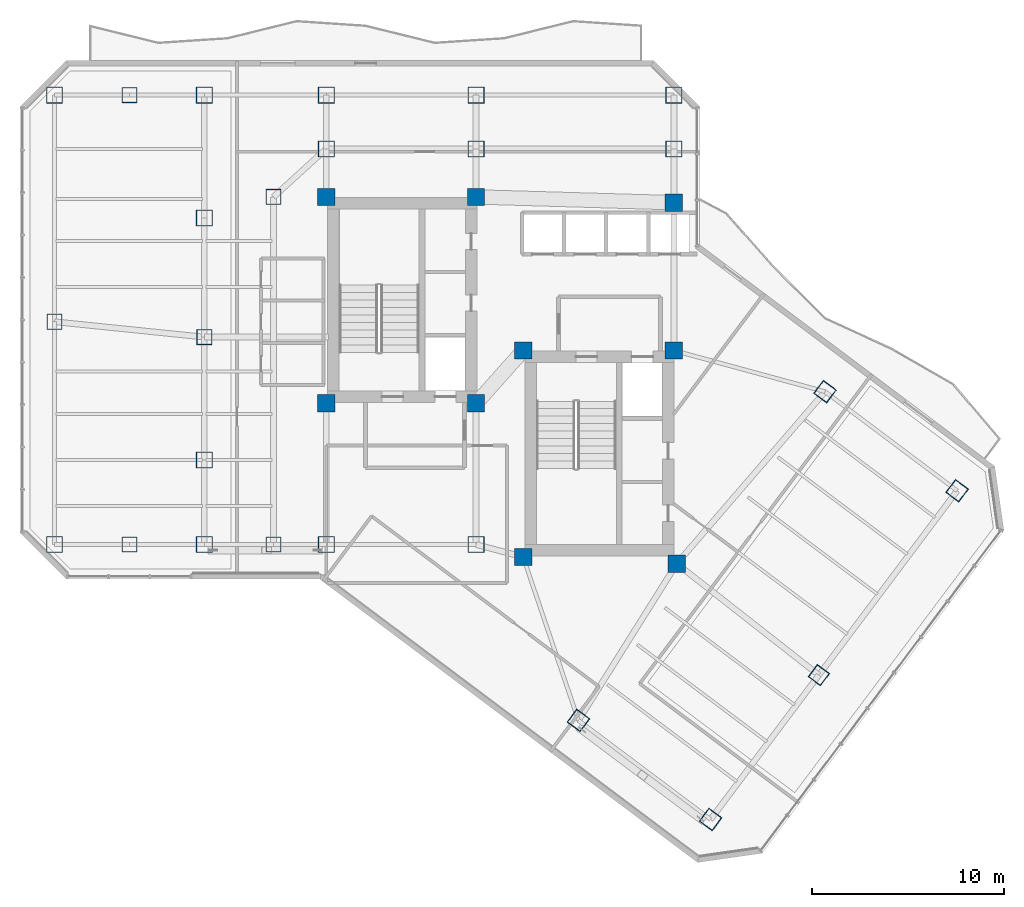
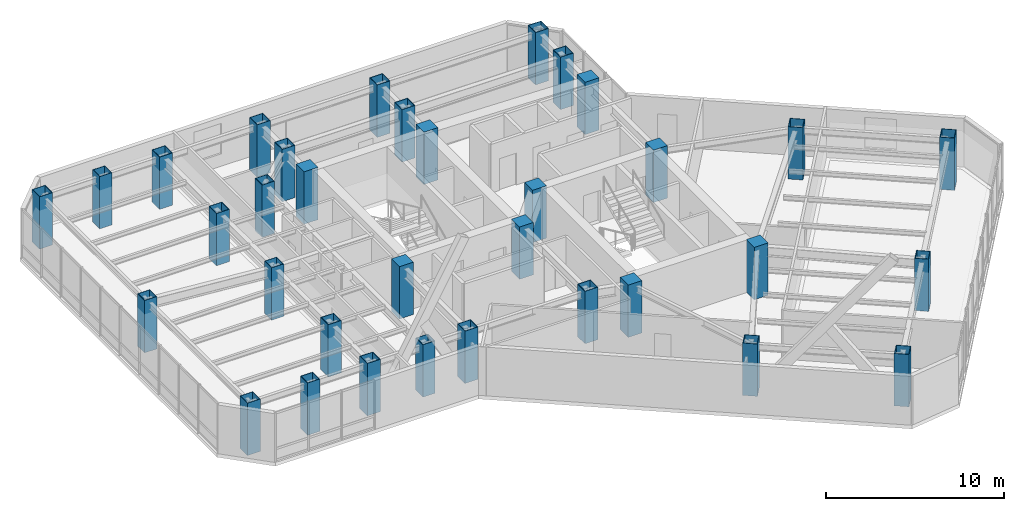
# One storey, part 1 of 26: 34 columns.
"""IFC4 building model written with IfcOpenShell, lengths in metres."""

from ifc_helpers import new_model, si_unit, direction, frame, origin, origin_2d, place, context, subcontext, project, spatial, rectangle, hollow_rectangle, extrude, material, material_profile, profile_set, type_object, element, save


model = new_model("IFC4")

# Units and contexts
model_context = context("Model", 3, precision=1e-05, world=origin(), true_north=direction((0.0, 1.0)))
body_context = subcontext(model_context, "Body", "Model", "MODEL_VIEW")
ifc_project = project(units=[si_unit("LENGTHUNIT", "METRE"), si_unit("AREAUNIT", "SQUARE_METRE"), si_unit("VOLUMEUNIT", "CUBIC_METRE"), si_unit("PLANEANGLEUNIT", "RADIAN"), si_unit("MASSUNIT", "GRAM", prefix="KILO")], contexts=[model_context])

# Site, building, storey
site_placement = place(None, origin())
site = spatial("IfcSite", under=ifc_project, at=site_placement, CompositionType="ELEMENT")
building_placement = place(site_placement, origin())
building = spatial("IfcBuilding", under=site, at=building_placement, Name="Hatsunagi Terrace Concourse", CompositionType="ELEMENT")
storey_placement = place(building_placement, frame((0.0, 0.0, 134.85009765625)))
storey = spatial("IfcBuildingStorey", under=building, at=storey_placement, Name="L35", CompositionType="ELEMENT", Elevation=134.85009765625)

# Columns
ifc_material_1 = material(Name="Concrete Fc48", Category="concrete")
ifc_material_profile_1 = material_profile(ifc_material_1, rectangle(XDim=0.89990234375, YDim=0.89990234375, at=origin_2d()), Name="RC-900x900")
ifc_profile_set_1 = profile_set([ifc_material_profile_1], Name="Concrete Fc48")
column_type_1 = type_object("IfcColumnType", Name="CoreColumn_RC_900x900", PredefinedType="COLUMN", material=ifc_profile_set_1)
for number, where, z_axis, x_axis, name in (
    (1, (25.550048828125, 32.550048828125, 0.0), (0.0, 0.0, 1.0), (1.0, 0.0, 0.0), "Column C-02 L35-CASW"),
    (2, (33.35009765625, 32.550048828125, 0.0), (0.0, 0.0, 1.0), (1.0, 0.0, 0.0), "Column C-02 L35-CASE"),
    (3, (25.550048828125, 43.300048828125, 0.0), (0.0, 0.0, 1.0), (1.0, 0.0, 0.0), "Column C-02 L35-CANW"),
    (4, (33.35009765625, 43.300048828125, 0.0), (0.0, 0.0, 1.0), (1.0, 0.0, 0.0), "Column C-02 L35-CANE"),
    (5, (35.800048828125, 24.550048828125, 0.0), (0.0, 0.0, 1.0), (1.0, 0.0, 0.0), "Column C-02 L35-CBSW"),
    (6, (43.800048828125, 24.199951171875, 0.0), (0.0, 0.0, 1.0), (1.0, 0.0, 0.0), "Column C-02 L35-CBSE"),
    (7, (35.800048828125, 35.300048828125, 0.0), (0.0, 0.0, 1.0), (1.0, 0.0, 0.0), "Column C-02 L35-CBNW"),
    (8, (43.64990234375, 35.300048828125, 0.0), (0.0, 0.0, 1.0), (1.0, 0.0, 0.0), "Column C-02 L35-CBNE"),
    (9, (43.64990234375, 43.0, 0.0), (0.0, 0.0, 1.0), (1.0, 0.0, 0.0), "Column C-02 L35-K3"),
):
    element("IfcColumn", number, at=place(storey_placement, frame(where, z_axis=z_axis, x_axis=x_axis)), inside=storey, type_object=column_type_1, Name=name, PredefinedType="COLUMN", context=body_context, shape_type="SweptSolid", body=[
        extrude(rectangle(XDim=0.89990234375, YDim=0.89990234375, at=origin_2d()), origin(), (0.0, 0.0, 1.0), 3.599853515625),
    ])
ifc_material_2 = material(Name="Steel BCP325T", Category="steel")
ifc_material_profile_2 = material_profile(ifc_material_2, hollow_rectangle(XDim=0.800048828125, YDim=0.800048828125, WallThickness=0.031982421875, at=origin_2d()), Name="BCP-800x800x32")
ifc_profile_set_2 = profile_set([ifc_material_profile_2], Name="Steel BCP325T")
column_type_2 = type_object("IfcColumnType", Name="TowerBoxColumn_800x800x32", PredefinedType="COLUMN", material=ifc_profile_set_2)
for number, where, z_axis, x_axis, name in (
    (10, (22.800048828125, 25.199951171875, 0.0), (0.0, 0.0, 1.0), (1.0, 0.0, 0.0), "Column C-06 L35-CW1"),
    (11, (22.800048828125, 43.300048828125, 0.0), (0.0, 0.0, 1.0), (1.0, 0.0, 0.0), "Column C-06 L35-CW2"),
    (12, (11.39990234375, 36.800048828125, 0.0), (0.0, 0.0, 1.0), (1.0, 0.0, 0.0), "Column C-06 L35-WT1"),
    (13, (19.199951171875, 36.0, 0.0), (0.0, 0.0, 1.0), (1.0, 0.0, 0.0), "Column C-06 L35-WT2"),
    (14, (15.300048828125, 25.199951171875, 0.0), (0.0, 0.0, 1.0), (1.0, 0.0, 0.0), "Column C-06 L35-WT3"),
    (15, (15.300048828125, 48.60009765625, 0.0), (0.0, 0.0, 1.0), (1.0, 0.0, 0.0), "Column C-06 L35-WT4"),
    (16, (51.199951171875, 18.39990234375, 0.0), (0.0, 0.0, 1.0), (0.799999996291, -0.600000004945, 0.0), "Column C-06 L35-SEM2"),
):
    element("IfcColumn", number, at=place(storey_placement, frame(where, z_axis=z_axis, x_axis=x_axis)), inside=storey, type_object=column_type_2, Name=name, PredefinedType="COLUMN", context=body_context, shape_type="SweptSolid", body=[
        extrude(hollow_rectangle(XDim=0.800048828125, YDim=0.800048828125, WallThickness=0.031982421875, at=origin_2d()), origin(), (0.0, 0.0, 1.0), 3.599853515625),
    ])
ifc_material_3 = material(Name="Steel BCP325T", Category="steel")
ifc_material_profile_3 = material_profile(ifc_material_3, hollow_rectangle(XDim=0.85009765625, YDim=0.85009765625, WallThickness=0.031982421875, at=origin_2d()), Name="BCP-850x850x32")
ifc_profile_set_3 = profile_set([ifc_material_profile_3], Name="Steel BCP325T")
column_type_3 = type_object("IfcColumnType", Name="TowerBoxColumn_850x850x32", PredefinedType="COLUMN", material=ifc_profile_set_3)
for number, where, z_axis, x_axis, name in (
    (17, (25.550048828125, 25.199951171875, 0.0), (0.0, 0.0, 1.0), (1.0, 0.0, 0.0), "Column C-05 L35-K1"),
    (18, (33.35009765625, 25.199951171875, 0.0), (0.0, 0.0, 1.0), (1.0, 0.0, 0.0), "Column C-05 L35-K2"),
    (19, (25.550048828125, 45.800048828125, 0.0), (0.0, 0.0, 1.0), (1.0, 0.0, 0.0), "Column C-05 L35-CN1"),
    (20, (33.35009765625, 45.800048828125, 0.0), (0.0, 0.0, 1.0), (1.0, 0.0, 0.0), "Column C-05 L35-CN2"),
    (21, (43.64990234375, 45.800048828125, 0.0), (0.0, 0.0, 1.0), (1.0, 0.0, 0.0), "Column C-05 L35-CN3"),
    (22, (11.39990234375, 25.199951171875, 0.0), (0.0, 0.0, 1.0), (1.0, 0.0, 0.0), "Column C-05 L35-WS2"),
    (23, (11.39990234375, 48.60009765625, 0.0), (0.0, 0.0, 1.0), (1.0, 0.0, 0.0), "Column C-05 L35-WN2"),
    (24, (19.199951171875, 48.60009765625, 0.0), (0.0, 0.0, 1.0), (1.0, 0.0, 0.0), "Column C-05 L35-WN3"),
    (25, (25.550048828125, 48.60009765625, 0.0), (0.0, 0.0, 1.0), (1.0, 0.0, 0.0), "Column C-05 L35-WN4"),
    (26, (33.35009765625, 48.60009765625, 0.0), (0.0, 0.0, 1.0), (1.0, 0.0, 0.0), "Column C-05 L35-WN5"),
    (27, (43.64990234375, 48.60009765625, 0.0), (0.0, 0.0, 1.0), (1.0, 0.0, 0.0), "Column C-05 L35-WN6"),
    (28, (19.199951171875, 25.199951171875, 0.0), (0.0, 0.0, 1.0), (1.0, 0.0, 0.0), "Column C-05 L35-WS3"),
    (29, (19.199951171875, 29.60009765625, 0.0), (0.0, 0.0, 1.0), (1.0, 0.0, 0.0), "Column C-05 L35-WR1"),
    (30, (19.199951171875, 42.199951171875, 0.0), (0.0, 0.0, 1.0), (1.0, 0.0, 0.0), "Column C-05 L35-WR2"),
    (31, (38.679931640625, 16.0400390625, 0.0), (0.0, 0.0, 1.0), (0.799999996291, -0.600000004945, 0.0), "Column C-05 L35-SES1"),
    (32, (51.52001953125, 33.159912109375, 0.0), (0.0, 0.0, 1.0), (0.799999996291, -0.600000004945, 0.0), "Column C-05 L35-SEN1"),
    (33, (45.56005859375, 10.8798828125, 0.0), (0.0, 0.0, 1.0), (0.799999996291, -0.600000004945, 0.0), "Column C-05 L35-SES2"),
    (34, (58.39990234375, 28.0, 0.0), (0.0, 0.0, 1.0), (0.799999996291, -0.600000004945, 0.0), "Column C-05 L35-SEN2"),
):
    element("IfcColumn", number, at=place(storey_placement, frame(where, z_axis=z_axis, x_axis=x_axis)), inside=storey, type_object=column_type_3, Name=name, PredefinedType="COLUMN", context=body_context, shape_type="SweptSolid", body=[
        extrude(hollow_rectangle(XDim=0.85009765625, YDim=0.85009765625, WallThickness=0.031982421875, at=origin_2d()), origin(), (0.0, 0.0, 1.0), 3.599853515625),
    ])

save(model, "model.ifc")
